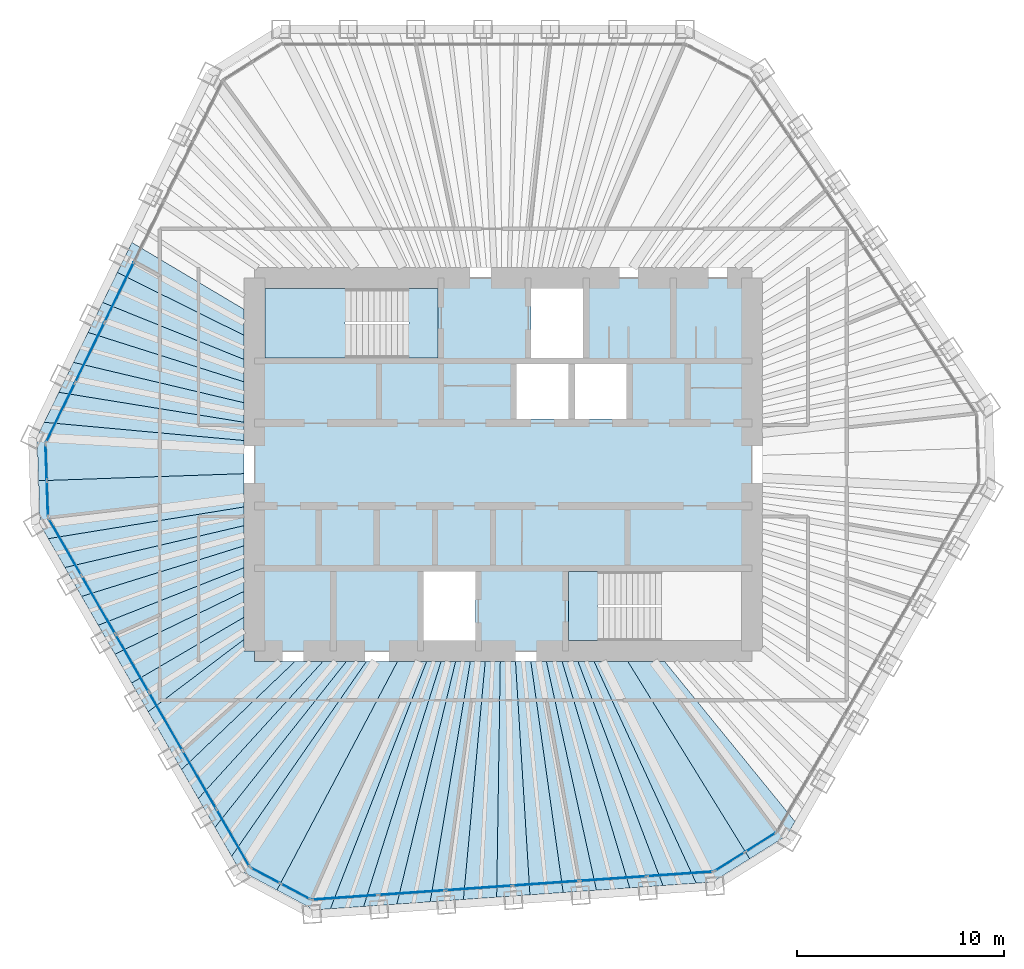
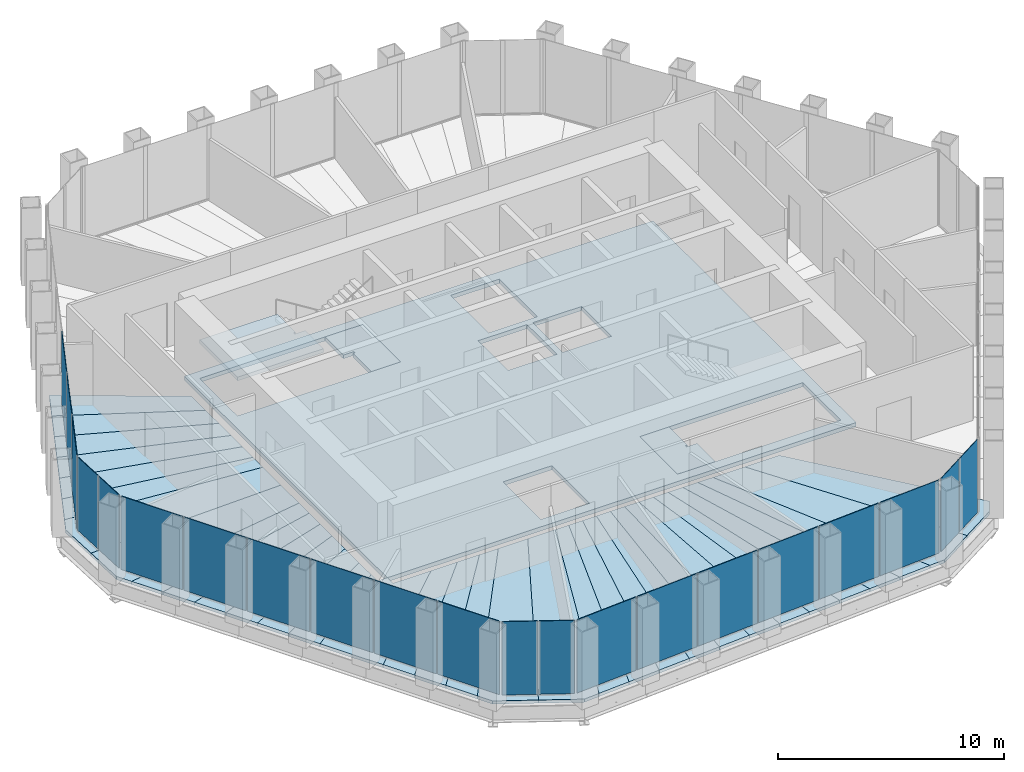
# One storey, part 9 of 14: 37 slabs, 21 plates, 8 elements without a shape of their own.
"""IFC4 building model written with IfcOpenShell, lengths in metres."""

from ifc_helpers import new_model, si_unit, direction, frame, origin, origin_2d, place, context, subcontext, project, spatial, polyline, rectangle, outline, extrude, material, layer, layer_set, type_object, element, aggregate, save


model = new_model("IFC4")

# Units and contexts
model_context = context("Model", 3, precision=1e-05, world=origin(), true_north=direction((0.0, 1.0)))
body_context = subcontext(model_context, "Body", "Model", "MODEL_VIEW")
ifc_project = project(units=[si_unit("LENGTHUNIT", "METRE"), si_unit("AREAUNIT", "SQUARE_METRE"), si_unit("VOLUMEUNIT", "CUBIC_METRE"), si_unit("PLANEANGLEUNIT", "RADIAN"), si_unit("MASSUNIT", "GRAM", prefix="KILO")], contexts=[model_context])

# Site, building, storey
site_placement = place(None, origin())
site = spatial("IfcSite", under=ifc_project, at=site_placement, CompositionType="ELEMENT")
building_placement = place(site_placement, origin())
building = spatial("IfcBuilding", under=site, at=building_placement, Name="Qingtian Harvest Tower", CompositionType="ELEMENT")
storey_placement = place(building_placement, frame((0.0, 0.0, 278.800048828125)))
storey = spatial("IfcBuildingStorey", under=building, at=storey_placement, Name="L61", CompositionType="ELEMENT", Elevation=278.800048828125)

# Slabs
ifc_material_1 = material(Name="Concrete fc' 35 MPa", Category="concrete")
ifc_layer_1 = layer(ifc_material_1, 0.169921875)
ifc_layer_set_1 = layer_set([ifc_layer_1], Name="Composite floor slab FS17 170")
slab_type_1 = type_object("IfcSlabType", Name="Composite floor slab FS17 170", PredefinedType="FLOOR", material=ifc_layer_set_1)
slab_1_placement = place(storey_placement, frame((0.0, 0.0, -0.170166015625)))
element("IfcSlab", 1, at=slab_1_placement, inside=storey, type_object=slab_type_1, Name="Floor slab L61 panel D01", PredefinedType="FLOOR", context=body_context, shape_type="SweptSolid", body=[
    extrude(outline(polyline([(-22.422607421875, -0.783203125), (-12.5, -0.4404296875), (-12.5, -2.044921875), (-21.95751953125, -3.578369140625), (-22.348876953125, -2.90087890625), (-22.422607421875, -0.783203125)])), origin(), (0.0, 0.0, 1.0), 0.170166015625),
])
slab_2_placement = place(storey_placement, frame((0.0, 0.0, -0.170166015625)))
element("IfcSlab", 2, at=slab_2_placement, inside=storey, type_object=slab_type_1, Name="Floor slab L61 panel D02", PredefinedType="FLOOR", context=body_context, shape_type="SweptSolid", body=[
    extrude(outline(polyline([(-12.5, -2.94677734375), (-21.153076171875, -4.9716796875), (-21.95751953125, -3.578369140625), (-12.5, -2.044921875), (-12.5, -2.94677734375)])), origin(), (0.0, 0.0, 1.0), 0.170166015625),
])
slab_3_placement = place(storey_placement, frame((0.0, 0.0, -0.170166015625)))
element("IfcSlab", 3, at=slab_3_placement, inside=storey, type_object=slab_type_1, Name="Floor slab L61 panel D03", PredefinedType="FLOOR", context=body_context, shape_type="SweptSolid", body=[
    extrude(outline(polyline([(-12.5, -3.919921875), (-20.3486328125, -6.365234375), (-21.153076171875, -4.9716796875), (-12.5, -2.94677734375), (-12.5, -3.919921875)])), origin(), (0.0, 0.0, 1.0), 0.170166015625),
])
slab_4_placement = place(storey_placement, frame((0.0, 0.0, -0.170166015625)))
element("IfcSlab", 4, at=slab_4_placement, inside=storey, type_object=slab_type_1, Name="Floor slab L61 panel D04", PredefinedType="FLOOR", context=body_context, shape_type="SweptSolid", body=[
    extrude(outline(polyline([(-12.5, -4.973388671875), (-19.544189453125, -7.758544921875), (-20.3486328125, -6.365234375), (-12.5, -3.919921875), (-12.5, -4.973388671875)])), origin(), (0.0, 0.0, 1.0), 0.170166015625),
])
slab_5_placement = place(storey_placement, frame((0.0, 0.0, -0.170166015625)))
element("IfcSlab", 5, at=slab_5_placement, inside=storey, type_object=slab_type_1, Name="Floor slab L61 panel D05", PredefinedType="FLOOR", context=body_context, shape_type="SweptSolid", body=[
    extrude(outline(polyline([(-12.5, -6.1171875), (-18.73974609375, -9.15185546875), (-19.544189453125, -7.758544921875), (-12.5, -4.973388671875), (-12.5, -6.1171875)])), origin(), (0.0, 0.0, 1.0), 0.170166015625),
])
slab_6_placement = place(storey_placement, frame((0.0, 0.0, -0.170166015625)))
element("IfcSlab", 6, at=slab_6_placement, inside=storey, type_object=slab_type_1, Name="Floor slab L61 panel D06", PredefinedType="FLOOR", context=body_context, shape_type="SweptSolid", body=[
    extrude(outline(polyline([(-12.5, -7.364013671875), (-17.93505859375, -10.54541015625), (-18.73974609375, -9.15185546875), (-12.5, -6.1171875), (-12.5, -7.364013671875)])), origin(), (0.0, 0.0, 1.0), 0.170166015625),
])
slab_7_placement = place(storey_placement, frame((0.0, 0.0, -0.170166015625)))
element("IfcSlab", 7, at=slab_7_placement, inside=storey, type_object=slab_type_1, Name="Floor slab L61 panel D07", PredefinedType="FLOOR", context=body_context, shape_type="SweptSolid", body=[
    extrude(outline(polyline([(-12.5, -8.432373046875), (-17.134521484375, -11.931884765625), (-17.93505859375, -10.54541015625), (-12.5, -7.364013671875), (-12.5, -8.432373046875)])), origin(), (0.0, 0.0, 1.0), 0.170166015625),
])
slab_8_placement = place(storey_placement, frame((0.0, 0.0, -0.170166015625)))
element("IfcSlab", 8, at=slab_8_placement, inside=storey, type_object=slab_type_1, Name="Floor slab L61 panel D09", PredefinedType="FLOOR", context=body_context, shape_type="SweptSolid", body=[
    extrude(outline(polyline([(-15.522216796875, -14.724609375), (-17.134521484375, -11.931884765625), (-12.5, -8.432373046875), (-12.5, -9.0), (-12.0, -9.0), (-12.0, -9.5), (-10.048828125, -9.5), (-15.522216796875, -14.724609375)])), origin(), (0.0, 0.0, 1.0), 0.170166015625),
])
slab_9_placement = place(storey_placement, frame((0.0, 0.0, -0.170166015625)))
element("IfcSlab", 9, at=slab_9_placement, inside=storey, type_object=slab_type_1, Name="Floor slab L61 panel D10", PredefinedType="FLOOR", context=body_context, shape_type="SweptSolid", body=[
    extrude(outline(polyline([(-8.70068359375, -9.5), (-14.7177734375, -16.1181640625), (-15.522216796875, -14.724609375), (-10.048828125, -9.5), (-8.70068359375, -9.5)])), origin(), (0.0, 0.0, 1.0), 0.170166015625),
])
slab_10_placement = place(storey_placement, frame((0.0, 0.0, -0.170166015625)))
element("IfcSlab", 10, at=slab_10_placement, inside=storey, type_object=slab_type_1, Name="Floor slab L61 panel D11", PredefinedType="FLOOR", context=body_context, shape_type="SweptSolid", body=[
    extrude(outline(polyline([(-7.568359375, -9.5), (-13.9130859375, -17.51171875), (-14.7177734375, -16.1181640625), (-8.70068359375, -9.5), (-7.568359375, -9.5)])), origin(), (0.0, 0.0, 1.0), 0.170166015625),
])
slab_11_placement = place(storey_placement, frame((0.0, 0.0, -0.170166015625)))
element("IfcSlab", 11, at=slab_11_placement, inside=storey, type_object=slab_type_1, Name="Floor slab L61 panel D12", PredefinedType="FLOOR", context=body_context, shape_type="SweptSolid", body=[
    extrude(outline(polyline([(-6.603515625, -9.5), (-13.108642578125, -18.905029296875), (-13.9130859375, -17.51171875), (-7.568359375, -9.5), (-6.603515625, -9.5)])), origin(), (0.0, 0.0, 1.0), 0.170166015625),
])
slab_12_placement = place(storey_placement, frame((0.0, 0.0, -0.170166015625)))
element("IfcSlab", 12, at=slab_12_placement, inside=storey, type_object=slab_type_1, Name="Floor slab L61 panel D13", PredefinedType="FLOOR", context=body_context, shape_type="SweptSolid", body=[
    extrude(outline(polyline([(-6.603515625, -9.5), (-5.10009765625, -9.5), (-10.921142578125, -20.537841796875), (-12.717529296875, -19.582763671875), (-13.108642578125, -18.905029296875), (-6.603515625, -9.5)])), origin(), (0.0, 0.0, 1.0), 0.170166015625),
])
slab_13_placement = place(storey_placement, frame((0.0, 0.0, -0.170166015625)))
element("IfcSlab", 13, at=slab_13_placement, inside=storey, type_object=slab_type_1, Name="Floor slab L61 panel D14", PredefinedType="FLOOR", context=body_context, shape_type="SweptSolid", body=[
    extrude(outline(polyline([(-5.10009765625, -9.5), (-3.696044921875, -9.5), (-8.343017578125, -21.439208984375), (-9.123291015625, -21.49365234375), (-10.921142578125, -20.537841796875), (-5.10009765625, -9.5)])), origin(), (0.0, 0.0, 1.0), 0.170166015625),
])
slab_14_placement = place(storey_placement, frame((0.0, 0.0, -0.170166015625)))
element("IfcSlab", 14, at=slab_14_placement, inside=storey, type_object=slab_type_1, Name="Floor slab L61 panel D15", PredefinedType="FLOOR", context=body_context, shape_type="SweptSolid", body=[
    extrude(outline(polyline([(-3.00048828125, -9.5), (-6.738037109375, -21.326904296875), (-8.343017578125, -21.439208984375), (-3.696044921875, -9.5), (-3.00048828125, -9.5)])), origin(), (0.0, 0.0, 1.0), 0.170166015625),
])
slab_15_placement = place(storey_placement, frame((0.0, 0.0, -0.170166015625)))
element("IfcSlab", 15, at=slab_15_placement, inside=storey, type_object=slab_type_1, Name="Floor slab L61 panel D16", PredefinedType="FLOOR", context=body_context, shape_type="SweptSolid", body=[
    extrude(outline(polyline([(-2.297607421875, -9.5), (-5.133056640625, -21.21484375), (-6.738037109375, -21.326904296875), (-3.00048828125, -9.5), (-2.297607421875, -9.5)])), origin(), (0.0, 0.0, 1.0), 0.170166015625),
])
slab_16_placement = place(storey_placement, frame((0.0, 0.0, -0.170166015625)))
element("IfcSlab", 16, at=slab_16_placement, inside=storey, type_object=slab_type_1, Name="Floor slab L61 panel D17", PredefinedType="FLOOR", context=body_context, shape_type="SweptSolid", body=[
    extrude(outline(polyline([(-1.58740234375, -9.5), (-3.528076171875, -21.1025390625), (-5.133056640625, -21.21484375), (-2.297607421875, -9.5), (-1.58740234375, -9.5)])), origin(), (0.0, 0.0, 1.0), 0.170166015625),
])
slab_17_placement = place(storey_placement, frame((0.0, 0.0, -0.170166015625)))
element("IfcSlab", 17, at=slab_17_placement, inside=storey, type_object=slab_type_1, Name="Floor slab L61 panel D18", PredefinedType="FLOOR", context=body_context, shape_type="SweptSolid", body=[
    extrude(outline(polyline([(-0.869384765625, -9.5), (-1.9228515625, -20.990234375), (-3.528076171875, -21.1025390625), (-1.58740234375, -9.5), (-0.869384765625, -9.5)])), origin(), (0.0, 0.0, 1.0), 0.170166015625),
])
slab_18_placement = place(storey_placement, frame((0.0, 0.0, -0.170166015625)))
element("IfcSlab", 18, at=slab_18_placement, inside=storey, type_object=slab_type_1, Name="Floor slab L61 panel D19", PredefinedType="FLOOR", context=body_context, shape_type="SweptSolid", body=[
    extrude(outline(polyline([(-0.143798828125, -9.5), (-0.31787109375, -20.8779296875), (-1.9228515625, -20.990234375), (-0.869384765625, -9.5), (-0.143798828125, -9.5)])), origin(), (0.0, 0.0, 1.0), 0.170166015625),
])
slab_19_placement = place(storey_placement, frame((0.0, 0.0, -0.170166015625)))
element("IfcSlab", 19, at=slab_19_placement, inside=storey, type_object=slab_type_1, Name="Floor slab L61 panel D20", PredefinedType="FLOOR", context=body_context, shape_type="SweptSolid", body=[
    extrude(outline(polyline([(0.58984375, -9.5), (1.287109375, -20.765869140625), (-0.31787109375, -20.8779296875), (-0.143798828125, -9.5), (0.58984375, -9.5)])), origin(), (0.0, 0.0, 1.0), 0.170166015625),
])
slab_20_placement = place(storey_placement, frame((0.0, 0.0, -0.170166015625)))
element("IfcSlab", 20, at=slab_20_placement, inside=storey, type_object=slab_type_1, Name="Floor slab L61 panel D21", PredefinedType="FLOOR", context=body_context, shape_type="SweptSolid", body=[
    extrude(outline(polyline([(1.331298828125, -9.5), (2.89208984375, -20.653564453125), (1.287109375, -20.765869140625), (0.58984375, -9.5), (1.331298828125, -9.5)])), origin(), (0.0, 0.0, 1.0), 0.170166015625),
])
slab_21_placement = place(storey_placement, frame((0.0, 0.0, -0.170166015625)))
element("IfcSlab", 21, at=slab_21_placement, inside=storey, type_object=slab_type_1, Name="Floor slab L61 panel D22", PredefinedType="FLOOR", context=body_context, shape_type="SweptSolid", body=[
    extrude(outline(polyline([(2.080810546875, -9.5), (4.4970703125, -20.541259765625), (2.89208984375, -20.653564453125), (1.331298828125, -9.5), (2.080810546875, -9.5)])), origin(), (0.0, 0.0, 1.0), 0.170166015625),
])
slab_22_placement = place(storey_placement, frame((0.0, 0.0, -0.170166015625)))
element("IfcSlab", 22, at=slab_22_placement, inside=storey, type_object=slab_type_1, Name="Floor slab L61 panel D23", PredefinedType="FLOOR", context=body_context, shape_type="SweptSolid", body=[
    extrude(outline(polyline([(2.838623046875, -9.5), (6.10205078125, -20.42919921875), (4.4970703125, -20.541259765625), (2.080810546875, -9.5), (2.838623046875, -9.5)])), origin(), (0.0, 0.0, 1.0), 0.170166015625),
])
slab_23_placement = place(storey_placement, frame((0.0, 0.0, -0.170166015625)))
element("IfcSlab", 23, at=slab_23_placement, inside=storey, type_object=slab_type_1, Name="Floor slab L61 panel D24", PredefinedType="FLOOR", context=body_context, shape_type="SweptSolid", body=[
    extrude(outline(polyline([(3.604736328125, -9.5), (7.70703125, -20.31689453125), (6.10205078125, -20.42919921875), (2.838623046875, -9.5), (3.604736328125, -9.5)])), origin(), (0.0, 0.0, 1.0), 0.170166015625),
])
slab_24_placement = place(storey_placement, frame((0.0, 0.0, -0.170166015625)))
element("IfcSlab", 24, at=slab_24_placement, inside=storey, type_object=slab_type_1, Name="Floor slab L61 panel D25", PredefinedType="FLOOR", context=body_context, shape_type="SweptSolid", body=[
    extrude(outline(polyline([(4.379638671875, -9.5), (9.312255859375, -20.20458984375), (7.70703125, -20.31689453125), (3.604736328125, -9.5), (4.379638671875, -9.5)])), origin(), (0.0, 0.0, 1.0), 0.170166015625),
])
slab_25_placement = place(storey_placement, frame((0.0, 0.0, -0.170166015625)))
element("IfcSlab", 25, at=slab_25_placement, inside=storey, type_object=slab_type_1, Name="Floor slab L61 panel D26", PredefinedType="FLOOR", context=body_context, shape_type="SweptSolid", body=[
    extrude(outline(polyline([(4.379638671875, -9.5), (6.0087890625, -9.5), (11.890380859375, -19.026611328125), (10.09228515625, -20.150146484375), (9.312255859375, -20.20458984375), (4.379638671875, -9.5)])), origin(), (0.0, 0.0, 1.0), 0.170166015625),
])
slab_26_placement = place(storey_placement, frame((0.0, 0.0, -0.170166015625)))
element("IfcSlab", 26, at=slab_26_placement, inside=storey, type_object=slab_type_1, Name="Floor slab L61 panel D27", PredefinedType="FLOOR", context=body_context, shape_type="SweptSolid", body=[
    extrude(outline(polyline([(6.0087890625, -9.5), (7.78515625, -9.5), (14.077880859375, -17.2265625), (13.6865234375, -17.904296875), (11.890380859375, -19.026611328125), (6.0087890625, -9.5)])), origin(), (0.0, 0.0, 1.0), 0.170166015625),
])
slab_27_placement = place(storey_placement, frame((0.0, 0.0, -0.170166015625)))
element("IfcSlab", 27, at=slab_27_placement, inside=storey, type_object=slab_type_1, Name="Floor slab L61 panel D72", PredefinedType="FLOOR", context=body_context, shape_type="SweptSolid", body=[
    extrude(outline(polyline([(-12.5, 6.23095703125), (-18.627197265625, 9.2685546875), (-17.921875, 10.714599609375), (-12.5, 7.48583984375), (-12.5, 6.23095703125)])), origin(), (0.0, 0.0, 1.0), 0.170166015625),
])
slab_28_placement = place(storey_placement, frame((0.0, 0.0, -0.170166015625)))
element("IfcSlab", 28, at=slab_28_placement, inside=storey, type_object=slab_type_1, Name="Floor slab L61 panel D73", PredefinedType="FLOOR", context=body_context, shape_type="SweptSolid", body=[
    extrude(outline(polyline([(-12.5, 5.06787109375), (-19.33251953125, 7.822509765625), (-18.627197265625, 9.2685546875), (-12.5, 6.23095703125), (-12.5, 5.06787109375)])), origin(), (0.0, 0.0, 1.0), 0.170166015625),
])
slab_29_placement = place(storey_placement, frame((0.0, 0.0, -0.170166015625)))
element("IfcSlab", 29, at=slab_29_placement, inside=storey, type_object=slab_type_1, Name="Floor slab L61 panel D74", PredefinedType="FLOOR", context=body_context, shape_type="SweptSolid", body=[
    extrude(outline(polyline([(-12.5, 3.986572265625), (-20.037841796875, 6.376220703125), (-19.33251953125, 7.822509765625), (-12.5, 5.06787109375), (-12.5, 3.986572265625)])), origin(), (0.0, 0.0, 1.0), 0.170166015625),
])
slab_30_placement = place(storey_placement, frame((0.0, 0.0, -0.170166015625)))
element("IfcSlab", 30, at=slab_30_placement, inside=storey, type_object=slab_type_1, Name="Floor slab L61 panel D75", PredefinedType="FLOOR", context=body_context, shape_type="SweptSolid", body=[
    extrude(outline(polyline([(-12.5, 2.97900390625), (-20.7431640625, 4.93017578125), (-20.037841796875, 6.376220703125), (-12.5, 3.986572265625), (-12.5, 2.97900390625)])), origin(), (0.0, 0.0, 1.0), 0.170166015625),
])
slab_31_placement = place(storey_placement, frame((0.0, 0.0, -0.170166015625)))
element("IfcSlab", 31, at=slab_31_placement, inside=storey, type_object=slab_type_1, Name="Floor slab L61 panel D76", PredefinedType="FLOOR", context=body_context, shape_type="SweptSolid", body=[
    extrude(outline(polyline([(-12.5, 2.037841796875), (-21.448486328125, 3.484130859375), (-20.7431640625, 4.93017578125), (-12.5, 2.97900390625), (-12.5, 2.037841796875)])), origin(), (0.0, 0.0, 1.0), 0.170166015625),
])
slab_32_placement = place(storey_placement, frame((0.0, 0.0, -0.170166015625)))
element("IfcSlab", 32, at=slab_32_placement, inside=storey, type_object=slab_type_1, Name="Floor slab L61 panel D77", PredefinedType="FLOOR", context=body_context, shape_type="SweptSolid", body=[
    extrude(outline(polyline([(-12.5, 1.156494140625), (-22.15380859375, 2.037841796875), (-21.448486328125, 3.484130859375), (-12.5, 2.037841796875), (-12.5, 1.156494140625)])), origin(), (0.0, 0.0, 1.0), 0.170166015625),
])
slab_33_placement = place(storey_placement, frame((0.0, 0.0, -0.170166015625)))
element("IfcSlab", 33, at=slab_33_placement, inside=storey, type_object=slab_type_1, Name="Floor slab L61 panel D78", PredefinedType="FLOOR", context=body_context, shape_type="SweptSolid", body=[
    extrude(outline(polyline([(-12.5, 1.156494140625), (-12.5, -0.4404296875), (-22.422607421875, -0.783203125), (-22.49658203125, 1.334716796875), (-22.15380859375, 2.037841796875), (-12.5, 1.156494140625)])), origin(), (0.0, 0.0, 1.0), 0.170166015625),
])
ifc_material_2 = material(Name="Concrete fc' 35 MPa", Category="concrete")
ifc_layer_2 = layer(ifc_material_2, 0.219970703125)
ifc_layer_set_2 = layer_set([ifc_layer_2], Name="Core floor slab CS22 220")
slab_type_2 = type_object("IfcSlabType", Name="Core floor slab CS22 220", PredefinedType="FLOOR", material=ifc_layer_set_2)
slab_34_placement = place(storey_placement, frame((0.0, 0.0, -0.219970703125)))
element("IfcSlab", 34, at=slab_34_placement, inside=storey, type_object=slab_type_2, Name="Core floor slab L61", PredefinedType="FLOOR", context=body_context, shape_type="SweptSolid", body=[
    extrude(outline(polyline([(-12.0, -9.0), (12.0, -9.0), (12.0, 9.0), (-12.0, 9.0), (-12.0, -9.0)]), holes=[polyline([(-11.5, 5.14990234375), (-3.14990234375, 5.14990234375), (-3.14990234375, 8.5), (-11.5, 8.5), (-11.5, 5.14990234375)]), polyline([(3.14990234375, -8.5), (11.5, -8.5), (11.5, -5.14990234375), (3.14990234375, -5.14990234375), (3.14990234375, -8.5)]), polyline([(1.35009765625, 5.14990234375), (3.85009765625, 5.14990234375), (3.85009765625, 8.5), (1.35009765625, 8.5), (1.35009765625, 5.14990234375)]), polyline([(-3.85009765625, -8.5), (-1.35009765625, -8.5), (-1.35009765625, -5.14990234375), (-3.85009765625, -5.14990234375), (-3.85009765625, -8.5)]), polyline([(0.64990234375, 2.199951171875), (3.14990234375, 2.199951171875), (3.14990234375, 4.85009765625), (0.64990234375, 4.85009765625), (0.64990234375, 2.199951171875)]), polyline([(3.449951171875, 2.199951171875), (5.949951171875, 2.199951171875), (5.949951171875, 4.85009765625), (3.449951171875, 4.85009765625), (3.449951171875, 2.199951171875)])]), origin(), (0.0, 0.0, 1.0), 0.219970703125),
])

# Curtain wall, plates
ifc_material_3 = material(Name="Bronze-anodised aluminium curtain wall", Category="aluminium")
curtain_wall_type = type_object("IfcCurtainWallType", Name="Curtain wall CW5 upper office", PredefinedType="USERDEFINED", material=ifc_material_3)
curtain_wall_1_placement = place(storey_placement, origin())
curtain_wall_1 = element("IfcCurtainWall", 35, at=curtain_wall_1_placement, inside=storey, type_object=curtain_wall_type, Name="Curtain wall CW5 L61 SEC", ObjectType="RECESSED CURTAIN WALL", PredefinedType="USERDEFINED")
ifc_material_4 = material(Name="Bronze-tinted laminated insulating glass", Category="glass")
ifc_layer_3 = layer(ifc_material_4, 0.030029296875)
ifc_layer_set_3 = layer_set([ifc_layer_3], Name="Glazed panel CWP tinted IGU")
plate_type = type_object("IfcPlateType", Name="Glazed panel CWP tinted IGU", PredefinedType="CURTAIN_PANEL", material=ifc_layer_set_3)
plate_1_placement = place(storey_placement, frame((12.42431640625, -18.224609375, 0.06494140625), z_axis=(0.0, 0.0, 1.0), x_axis=(-0.848048096156, -0.529919264233, 0.0)))
plate_1 = element("IfcPlate", 36, at=plate_1_placement, type_object=plate_type, Name="CW5 panel 1.1", PredefinedType="CURTAIN_PANEL", context=body_context, shape_type="SweptSolid", body=[
    extrude(rectangle(XDim=1.69287109375, YDim=0.030029296875, at=origin_2d()), origin(), (0.0, 0.0, 1.0), 3.965087890625),
])
plate_2_placement = place(storey_placement, frame((10.93359375, -19.156005859375, 0.06494140625), z_axis=(0.0, 0.0, 1.0), x_axis=(-0.848048096156, -0.529919264233, 0.0)))
plate_2 = element("IfcPlate", 37, at=plate_2_placement, type_object=plate_type, Name="CW5 panel 2.1", PredefinedType="CURTAIN_PANEL", context=body_context, shape_type="SweptSolid", body=[
    extrude(rectangle(XDim=1.69287109375, YDim=0.030029296875, at=origin_2d()), origin(), (0.0, 0.0, 1.0), 3.965087890625),
])
aggregate(curtain_wall_1, [plate_1, plate_2])

curtain_wall_2_placement = place(storey_placement, origin())
curtain_wall_2 = element("IfcCurtainWall", 38, at=curtain_wall_2_placement, inside=storey, type_object=curtain_wall_type, Name="Curtain wall CW5 L61 S0-5", ObjectType="RECESSED CURTAIN WALL", PredefinedType="USERDEFINED")
plate_3_placement = place(storey_placement, frame((8.5244140625, -19.75341796875, 0.06494140625), z_axis=(0.0, 0.0, 1.0), x_axis=(-0.99756405026, -0.069756473744, 0.0)))
plate_3 = element("IfcPlate", 39, at=plate_3_placement, type_object=plate_type, Name="CW5 panel 1.1", PredefinedType="CURTAIN_PANEL", context=body_context, shape_type="SweptSolid", body=[
    extrude(rectangle(XDim=3.150634765625, YDim=0.030029296875, at=origin_2d()), origin(), (0.0, 0.0, 1.0), 3.965087890625),
])
plate_4_placement = place(storey_placement, frame((5.300537109375, -19.97900390625, 0.06494140625), z_axis=(0.0, 0.0, 1.0), x_axis=(-0.99756405026, -0.069756473744, 0.0)))
plate_4 = element("IfcPlate", 40, at=plate_4_placement, type_object=plate_type, Name="CW5 panel 2.1", PredefinedType="CURTAIN_PANEL", context=body_context, shape_type="SweptSolid", body=[
    extrude(rectangle(XDim=3.18310546875, YDim=0.030029296875, at=origin_2d()), origin(), (0.0, 0.0, 1.0), 3.965087890625),
])
plate_5_placement = place(storey_placement, frame((2.060302734375, -20.20556640625, 0.06494140625), z_axis=(0.0, 0.0, 1.0), x_axis=(-0.99756405026, -0.069756473744, 0.0)))
plate_5 = element("IfcPlate", 41, at=plate_5_placement, type_object=plate_type, Name="CW5 panel 3.1", PredefinedType="CURTAIN_PANEL", context=body_context, shape_type="SweptSolid", body=[
    extrude(rectangle(XDim=3.18310546875, YDim=0.030029296875, at=origin_2d()), origin(), (0.0, 0.0, 1.0), 3.965087890625),
])
plate_6_placement = place(storey_placement, frame((-1.1796875, -20.43212890625, 0.06494140625), z_axis=(0.0, 0.0, 1.0), x_axis=(-0.99756405026, -0.069756473744, 0.0)))
plate_6 = element("IfcPlate", 42, at=plate_6_placement, type_object=plate_type, Name="CW5 panel 4.1", PredefinedType="CURTAIN_PANEL", context=body_context, shape_type="SweptSolid", body=[
    extrude(rectangle(XDim=3.18310546875, YDim=0.030029296875, at=origin_2d()), origin(), (0.0, 0.0, 1.0), 3.965087890625),
])
plate_7_placement = place(storey_placement, frame((-4.419921875, -20.65869140625, 0.06494140625), z_axis=(0.0, 0.0, 1.0), x_axis=(-0.99756405026, -0.069756473744, 0.0)))
plate_7 = element("IfcPlate", 43, at=plate_7_placement, type_object=plate_type, Name="CW5 panel 5.1", PredefinedType="CURTAIN_PANEL", context=body_context, shape_type="SweptSolid", body=[
    extrude(rectangle(XDim=3.18310546875, YDim=0.030029296875, at=origin_2d()), origin(), (0.0, 0.0, 1.0), 3.965087890625),
])
plate_8_placement = place(storey_placement, frame((-7.643798828125, -20.884033203125, 0.06494140625), z_axis=(0.0, 0.0, 1.0), x_axis=(-0.99756405026, -0.069756473744, 0.0)))
plate_8 = element("IfcPlate", 44, at=plate_8_placement, type_object=plate_type, Name="CW5 panel 6.1", PredefinedType="CURTAIN_PANEL", context=body_context, shape_type="SweptSolid", body=[
    extrude(rectangle(XDim=3.150634765625, YDim=0.030029296875, at=origin_2d()), origin(), (0.0, 0.0, 1.0), 3.965087890625),
])
aggregate(curtain_wall_2, [plate_3, plate_4, plate_5, plate_6, plate_7, plate_8])

curtain_wall_3_placement = place(storey_placement, origin())
curtain_wall_3 = element("IfcCurtainWall", 45, at=curtain_wall_3_placement, inside=storey, type_object=curtain_wall_type, Name="Curtain wall CW5 L61 SC", ObjectType="RECESSED CURTAIN WALL", PredefinedType="USERDEFINED")
plate_9_placement = place(storey_placement, frame((-10.029296875, -20.60009765625, 0.06494140625), z_axis=(0.0, 0.0, 1.0), x_axis=(-0.882947592859, 0.469471562786, 0.0)))
plate_9 = element("IfcPlate", 46, at=plate_9_placement, type_object=plate_type, Name="CW5 panel 1.1", PredefinedType="CURTAIN_PANEL", context=body_context, shape_type="SweptSolid", body=[
    extrude(rectangle(XDim=1.56689453125, YDim=0.030029296875, at=origin_2d()), origin(), (0.0, 0.0, 1.0), 3.965087890625),
])
plate_10_placement = place(storey_placement, frame((-11.469970703125, -19.833984375, 0.06494140625), z_axis=(0.0, 0.0, 1.0), x_axis=(-0.882947592859, 0.469471562786, 0.0)))
plate_10 = element("IfcPlate", 47, at=plate_10_placement, type_object=plate_type, Name="CW5 panel 2.1", PredefinedType="CURTAIN_PANEL", context=body_context, shape_type="SweptSolid", body=[
    extrude(rectangle(XDim=1.56689453125, YDim=0.030029296875, at=origin_2d()), origin(), (0.0, 0.0, 1.0), 3.965087890625),
])
aggregate(curtain_wall_3, [plate_9, plate_10])

curtain_wall_4_placement = place(storey_placement, origin())
curtain_wall_4 = element("IfcCurtainWall", 48, at=curtain_wall_4_placement, inside=storey, type_object=curtain_wall_type, Name="Curtain wall CW5 L61 SW0-5", ObjectType="RECESSED CURTAIN WALL", PredefinedType="USERDEFINED")
plate_11_placement = place(storey_placement, frame((-13.039306640625, -18.01513671875, 0.06494140625), z_axis=(0.0, 0.0, 1.0), x_axis=(-0.5, 0.866025403784, 0.0)))
plate_11 = element("IfcPlate", 49, at=plate_11_placement, type_object=plate_type, Name="CW5 panel 1.1", PredefinedType="CURTAIN_PANEL", context=body_context, shape_type="SweptSolid", body=[
    extrude(rectangle(XDim=3.150634765625, YDim=0.030029296875, at=origin_2d()), origin(), (0.0, 0.0, 1.0), 3.965087890625),
])
plate_12_placement = place(storey_placement, frame((-14.6552734375, -15.216552734375, 0.06494140625), z_axis=(0.0, 0.0, 1.0), x_axis=(-0.5, 0.866025403784, 0.0)))
plate_12 = element("IfcPlate", 50, at=plate_12_placement, type_object=plate_type, Name="CW5 panel 2.1", PredefinedType="CURTAIN_PANEL", context=body_context, shape_type="SweptSolid", body=[
    extrude(rectangle(XDim=3.18310546875, YDim=0.030029296875, at=origin_2d()), origin(), (0.0, 0.0, 1.0), 3.965087890625),
])
plate_13_placement = place(storey_placement, frame((-16.279296875, -12.403564453125, 0.06494140625), z_axis=(0.0, 0.0, 1.0), x_axis=(-0.5, 0.866025403784, 0.0)))
plate_13 = element("IfcPlate", 51, at=plate_13_placement, type_object=plate_type, Name="CW5 panel 3.1", PredefinedType="CURTAIN_PANEL", context=body_context, shape_type="SweptSolid", body=[
    extrude(rectangle(XDim=3.18310546875, YDim=0.030029296875, at=origin_2d()), origin(), (0.0, 0.0, 1.0), 3.965087890625),
])
plate_14_placement = place(storey_placement, frame((-17.9033203125, -9.590576171875, 0.06494140625), z_axis=(0.0, 0.0, 1.0), x_axis=(-0.5, 0.866025403784, 0.0)))
plate_14 = element("IfcPlate", 52, at=plate_14_placement, type_object=plate_type, Name="CW5 panel 4.1", PredefinedType="CURTAIN_PANEL", context=body_context, shape_type="SweptSolid", body=[
    extrude(rectangle(XDim=3.18310546875, YDim=0.030029296875, at=origin_2d()), origin(), (0.0, 0.0, 1.0), 3.965087890625),
])
plate_15_placement = place(storey_placement, frame((-19.52734375, -6.77783203125, 0.06494140625), z_axis=(0.0, 0.0, 1.0), x_axis=(-0.5, 0.866025403784, 0.0)))
plate_15 = element("IfcPlate", 53, at=plate_15_placement, type_object=plate_type, Name="CW5 panel 5.1", PredefinedType="CURTAIN_PANEL", context=body_context, shape_type="SweptSolid", body=[
    extrude(rectangle(XDim=3.18310546875, YDim=0.030029296875, at=origin_2d()), origin(), (0.0, 0.0, 1.0), 3.965087890625),
])
plate_16_placement = place(storey_placement, frame((-21.14306640625, -3.97900390625, 0.06494140625), z_axis=(0.0, 0.0, 1.0), x_axis=(-0.5, 0.866025403784, 0.0)))
plate_16 = element("IfcPlate", 54, at=plate_16_placement, type_object=plate_type, Name="CW5 panel 6.1", PredefinedType="CURTAIN_PANEL", context=body_context, shape_type="SweptSolid", body=[
    extrude(rectangle(XDim=3.150634765625, YDim=0.030029296875, at=origin_2d()), origin(), (0.0, 0.0, 1.0), 3.965087890625),
])
aggregate(curtain_wall_4, [plate_11, plate_12, plate_13, plate_14, plate_15, plate_16])

curtain_wall_5_placement = place(storey_placement, origin())
curtain_wall_5 = element("IfcCurtainWall", 55, at=curtain_wall_5_placement, inside=storey, type_object=curtain_wall_type, Name="Curtain wall CW5 L61 SWC", ObjectType="RECESSED CURTAIN WALL", PredefinedType="USERDEFINED")
plate_17_placement = place(storey_placement, frame((-21.9951171875, -1.647705078125, 0.06494140625), z_axis=(0.0, 0.0, 1.0), x_axis=(-0.034899496703, 0.999390827019, 0.0)))
plate_17 = element("IfcPlate", 56, at=plate_17_placement, type_object=plate_type, Name="CW5 panel 1.1", PredefinedType="CURTAIN_PANEL", context=body_context, shape_type="SweptSolid", body=[
    extrude(rectangle(XDim=1.69287109375, YDim=0.030029296875, at=origin_2d()), origin(), (0.0, 0.0, 1.0), 3.965087890625),
])
plate_18_placement = place(storey_placement, frame((-22.056396484375, 0.109375, 0.06494140625), z_axis=(0.0, 0.0, 1.0), x_axis=(-0.034899496703, 0.999390827019, 0.0)))
plate_18 = element("IfcPlate", 57, at=plate_18_placement, type_object=plate_type, Name="CW5 panel 2.1", PredefinedType="CURTAIN_PANEL", context=body_context, shape_type="SweptSolid", body=[
    extrude(rectangle(XDim=1.69287109375, YDim=0.030029296875, at=origin_2d()), origin(), (0.0, 0.0, 1.0), 3.965087890625),
])
aggregate(curtain_wall_5, [plate_17, plate_18])

curtain_wall_6_placement = place(storey_placement, origin())
curtain_wall_6 = element("IfcCurtainWall", 58, at=curtain_wall_6_placement, inside=storey, type_object=curtain_wall_type, Name="Curtain wall CW5 L61 NW0-5", ObjectType="RECESSED CURTAIN WALL", PredefinedType="USERDEFINED")
plate_19_placement = place(storey_placement, frame((-21.369140625, 2.494384765625, 0.06494140625), z_axis=(0.0, 0.0, 1.0), x_axis=(0.438371146789, 0.898794046299, 0.0)))
plate_19 = element("IfcPlate", 59, at=plate_19_placement, type_object=plate_type, Name="CW5 panel 1.1", PredefinedType="CURTAIN_PANEL", context=body_context, shape_type="SweptSolid", body=[
    extrude(rectangle(XDim=3.150634765625, YDim=0.030029296875, at=origin_2d()), origin(), (0.0, 0.0, 1.0), 3.965087890625),
])
plate_20_placement = place(storey_placement, frame((-19.952392578125, 5.399169921875, 0.06494140625), z_axis=(0.0, 0.0, 1.0), x_axis=(0.438371146789, 0.898794046299, 0.0)))
plate_20 = element("IfcPlate", 60, at=plate_20_placement, type_object=plate_type, Name="CW5 panel 2.1", PredefinedType="CURTAIN_PANEL", context=body_context, shape_type="SweptSolid", body=[
    extrude(rectangle(XDim=3.18310546875, YDim=0.030029296875, at=origin_2d()), origin(), (0.0, 0.0, 1.0), 3.965087890625),
])
plate_21_placement = place(storey_placement, frame((-18.528564453125, 8.318359375, 0.06494140625), z_axis=(0.0, 0.0, 1.0), x_axis=(0.438371146789, 0.898794046299, 0.0)))
plate_21 = element("IfcPlate", 61, at=plate_21_placement, type_object=plate_type, Name="CW5 panel 3.1", PredefinedType="CURTAIN_PANEL", context=body_context, shape_type="SweptSolid", body=[
    extrude(rectangle(XDim=3.18310546875, YDim=0.030029296875, at=origin_2d()), origin(), (0.0, 0.0, 1.0), 3.965087890625),
])
aggregate(curtain_wall_6, [plate_19, plate_20, plate_21])

# Stair, slabs
ifc_material_5 = material(Name="Concrete fc' 35 MPa", Category="concrete")
stair_type = type_object("IfcStairType", Name="Special stair ST6 4200", PredefinedType="HALF_TURN_STAIR", material=ifc_material_5)
stair_1_placement = place(storey_placement, origin())
stair_1 = element("IfcStair", 62, at=stair_1_placement, inside=storey, type_object=stair_type, Name="Special stair S1 L61", PredefinedType="HALF_TURN_STAIR")
ifc_material_6 = material(Name="Concrete fc' 35 MPa", Category="concrete")
ifc_layer_4 = layer(ifc_material_6, 0.199951171875)
ifc_layer_set_4 = layer_set([ifc_layer_4], Name="Stair landing SL2 200")
slab_type_3 = type_object("IfcSlabType", Name="Stair landing SL2 200", PredefinedType="LANDING", material=ifc_layer_set_4)
slab_35_placement = place(storey_placement, frame((0.0, 0.0, -0.199951171875)))
slab_35 = element("IfcSlab", 63, at=slab_35_placement, type_object=slab_type_3, Name="S1 landing 1", PredefinedType="LANDING", context=body_context, shape_type="SweptSolid", body=[
    extrude(outline(polyline([(-4.64990234375, 5.14990234375), (-4.64990234375, 6.77490234375), (-4.550048828125, 6.77490234375), (-4.550048828125, 6.875), (-5.0849609375, 6.875), (-5.0849609375, 8.5), (-3.14990234375, 8.5), (-3.14990234375, 5.14990234375), (-4.64990234375, 5.14990234375)])), origin(), (0.0, 0.0, 1.0), 0.199951171875),
])
slab_36_placement = place(storey_placement, frame((0.0, 0.0, 1.89990234375)))
slab_36 = element("IfcSlab", 64, at=slab_36_placement, type_object=slab_type_3, Name="S1 landing 2", PredefinedType="LANDING", context=body_context, shape_type="SweptSolid", body=[
    extrude(outline(polyline([(-7.094970703125, 5.14990234375), (-11.5, 5.14990234375), (-11.5, 8.5), (-7.530029296875, 8.5), (-7.530029296875, 6.875), (-7.6298828125, 6.875), (-7.6298828125, 6.77490234375), (-7.094970703125, 6.77490234375), (-7.094970703125, 5.14990234375)])), origin(), (0.0, 0.0, 1.0), 0.199951171875),
])
aggregate(stair_1, [slab_35, slab_36])

# Stair, slab
stair_2_placement = place(storey_placement, origin())
stair_2 = element("IfcStair", 65, at=stair_2_placement, inside=storey, type_object=stair_type, Name="Special stair S2 L61", PredefinedType="HALF_TURN_STAIR")
slab_37_placement = place(storey_placement, frame((0.0, 0.0, -0.199951171875)))
slab_37 = element("IfcSlab", 66, at=slab_37_placement, type_object=slab_type_3, Name="S2 landing 1", PredefinedType="LANDING", context=body_context, shape_type="SweptSolid", body=[
    extrude(outline(polyline([(5.0849609375, -8.5), (3.14990234375, -8.5), (3.14990234375, -5.14990234375), (4.64990234375, -5.14990234375), (4.64990234375, -6.77490234375), (4.550048828125, -6.77490234375), (4.550048828125, -6.875), (5.0849609375, -6.875), (5.0849609375, -8.5)])), origin(), (0.0, 0.0, 1.0), 0.199951171875),
])
aggregate(stair_2, [slab_37])

save(model, "model.ifc")
